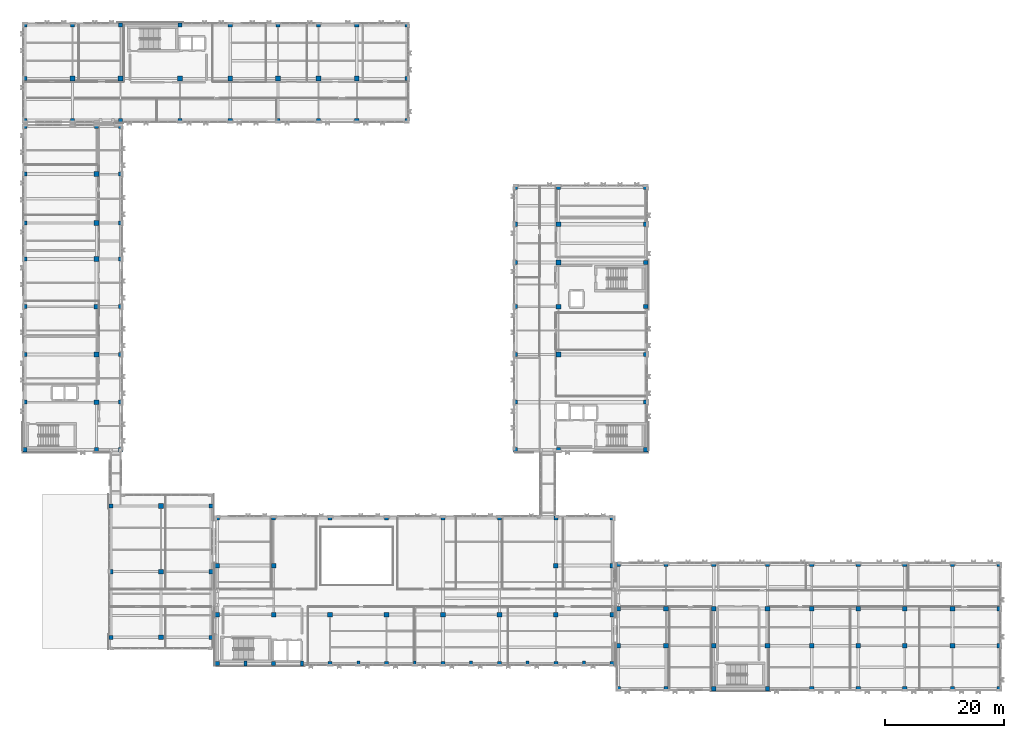
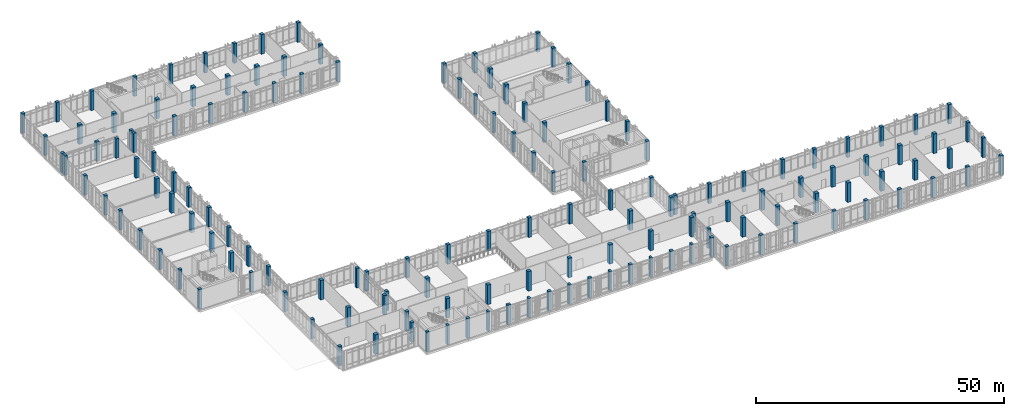
# One storey, part 1 of 189: 151 columns.
"""IFC4 building model written with IfcOpenShell, lengths in metres."""

from ifc_helpers import new_model, si_unit, direction, frame, origin, origin_2d, place, context, subcontext, project, spatial, rectangle, extrude, material, material_profile, profile_set, type_object, element, save


model = new_model("IFC4")

# Units and contexts
model_context = context("Model", 3, precision=1e-05, world=origin(), true_north=direction((0.0, 1.0)))
body_context = subcontext(model_context, "Body", "Model", "MODEL_VIEW")
ifc_project = project(units=[si_unit("LENGTHUNIT", "METRE"), si_unit("AREAUNIT", "SQUARE_METRE"), si_unit("VOLUMEUNIT", "CUBIC_METRE"), si_unit("PLANEANGLEUNIT", "RADIAN"), si_unit("MASSUNIT", "GRAM", prefix="KILO")], contexts=[model_context])

# Site, building, storey
site_placement = place(None, origin())
site = spatial("IfcSite", under=ifc_project, at=site_placement, CompositionType="ELEMENT")
building_placement = place(site_placement, origin())
building = spatial("IfcBuilding", under=site, at=building_placement, Name="Qalavern Law Courts", CompositionType="ELEMENT")
storey_placement = place(building_placement, frame((0.0, 0.0, 5.39990234375)))
storey = spatial("IfcBuildingStorey", under=building, at=storey_placement, Name="L01", CompositionType="ELEMENT", Elevation=5.39990234375)

# Columns
ifc_material = material(Name="Concrete C45/55", Category="concrete")
ifc_material_profile_1 = material_profile(ifc_material, rectangle(XDim=0.699951171875, YDim=0.699951171875, at=origin_2d()), Name="RC 700x700")
ifc_profile_set_1 = profile_set([ifc_material_profile_1], Name="Concrete C45/55")
column_type_1 = type_object("IfcColumnType", Name="STR-COL-RC700E", PredefinedType="COLUMN", material=ifc_profile_set_1)
for number, where, z_axis, x_axis, name in (
    (1, (16.800048828125, 10.0, 0.0), (0.0, 0.0, 1.0), (1.0, 0.0, 0.0), "V1 column 1-1 L01"),
    (2, (16.800048828125, 21.0, 0.0), (0.0, 0.0, 1.0), (1.0, 0.0, 0.0), "V1 column 1-2 L01"),
    (3, (16.800048828125, 32.0, 0.0), (0.0, 0.0, 1.0), (1.0, 0.0, 0.0), "V1 column 1-3 L01"),
    (4, (33.60009765625, 10.0, 0.0), (0.0, 0.0, 1.0), (1.0, 0.0, 0.0), "V1 column 3-1 L01"),
    (5, (33.60009765625, 21.0, 0.0), (0.0, 0.0, 1.0), (1.0, 0.0, 0.0), "V1 column 3-2 L01"),
    (6, (33.60009765625, 32.0, 0.0), (0.0, 0.0, 1.0), (1.0, 0.0, 0.0), "V1 column 3-3 L01"),
    (7, (34.6201171875, 5.60009765625, 0.0), (0.0, 0.0, 1.0), (1.0, 0.0, 0.0), "V2 column 1-1 L01"),
    (8, (34.6201171875, 13.800048828125, 0.0), (0.0, 0.0, 1.0), (1.0, 0.0, 0.0), "V2 column 1-2 L01"),
    (9, (34.6201171875, 22.0, 0.0), (0.0, 0.0, 1.0), (1.0, 0.0, 0.0), "V2 column 1-3 L01"),
    (10, (34.6201171875, 30.0, 0.0), (0.0, 0.0, 1.0), (1.0, 0.0, 0.0), "V2 column 1-4 L01"),
    (11, (44.07421875, 5.60009765625, 0.0), (0.0, 0.0, 1.0), (1.0, 0.0, 0.0), "V2 column 2-1 L01"),
    (12, (44.07421875, 30.0, 0.0), (0.0, 0.0, 1.0), (1.0, 0.0, 0.0), "V2 column 2-4 L01"),
    (13, (53.528564453125, 5.60009765625, 0.0), (0.0, 0.0, 1.0), (1.0, 0.0, 0.0), "V2 column 3-1 L01"),
    (14, (53.528564453125, 30.0, 0.0), (0.0, 0.0, 1.0), (1.0, 0.0, 0.0), "V2 column 3-4 L01"),
    (15, (62.98291015625, 5.60009765625, 0.0), (0.0, 0.0, 1.0), (1.0, 0.0, 0.0), "V2 column 4-1 L01"),
    (16, (62.98291015625, 30.0, 0.0), (0.0, 0.0, 1.0), (1.0, 0.0, 0.0), "V2 column 4-4 L01"),
    (17, (72.43701171875, 5.60009765625, 0.0), (0.0, 0.0, 1.0), (1.0, 0.0, 0.0), "V2 column 5-1 L01"),
    (18, (72.43701171875, 30.0, 0.0), (0.0, 0.0, 1.0), (1.0, 0.0, 0.0), "V2 column 5-4 L01"),
    (19, (81.891357421875, 5.60009765625, 0.0), (0.0, 0.0, 1.0), (1.0, 0.0, 0.0), "V2 column 6-1 L01"),
    (20, (81.891357421875, 30.0, 0.0), (0.0, 0.0, 1.0), (1.0, 0.0, 0.0), "V2 column 6-4 L01"),
    (21, (91.345703125, 5.60009765625, 0.0), (0.0, 0.0, 1.0), (1.0, 0.0, 0.0), "V2 column 7-1 L01"),
    (22, (91.345703125, 30.0, 0.0), (0.0, 0.0, 1.0), (1.0, 0.0, 0.0), "V2 column 7-4 L01"),
    (23, (100.800048828125, 5.60009765625, 0.0), (0.0, 0.0, 1.0), (1.0, 0.0, 0.0), "V2 column 8-1 L01"),
    (24, (100.800048828125, 13.800048828125, 0.0), (0.0, 0.0, 1.0), (1.0, 0.0, 0.0), "V2 column 8-2 L01"),
    (25, (100.800048828125, 22.0, 0.0), (0.0, 0.0, 1.0), (1.0, 0.0, 0.0), "V2 column 8-3 L01"),
    (26, (100.800048828125, 30.0, 0.0), (0.0, 0.0, 1.0), (1.0, 0.0, 0.0), "V2 column 8-4 L01"),
    (27, (2.39990234375, 41.419921875, 0.0), (0.0, 0.0, 1.0), (1.0, 0.0, 0.0), "V3 column 1-1 L01"),
    (28, (2.39990234375, 49.39990234375, 0.0), (0.0, 0.0, 1.0), (1.0, 0.0, 0.0), "V3 column 1-2 L01"),
    (29, (2.39990234375, 57.39990234375, 0.0), (0.0, 0.0, 1.0), (1.0, 0.0, 0.0), "V3 column 1-3 L01"),
    (30, (2.39990234375, 65.39990234375, 0.0), (0.0, 0.0, 1.0), (1.0, 0.0, 0.0), "V3 column 1-4 L01"),
    (31, (2.39990234375, 73.39990234375, 0.0), (0.0, 0.0, 1.0), (1.0, 0.0, 0.0), "V3 column 1-5 L01"),
    (32, (2.39990234375, 79.39990234375, 0.0), (0.0, 0.0, 1.0), (1.0, 0.0, 0.0), "V3 column 1-6 L01"),
    (33, (2.39990234375, 87.60009765625, 0.0), (0.0, 0.0, 1.0), (1.0, 0.0, 0.0), "V3 column 1-7 L01"),
    (34, (2.39990234375, 95.580078125, 0.0), (0.0, 0.0, 1.0), (1.0, 0.0, 0.0), "V3 column 1-8 L01"),
    (35, (14.39990234375, 41.419921875, 0.0), (0.0, 0.0, 1.0), (1.0, 0.0, 0.0), "V3 column 2-1 L01"),
    (36, (14.39990234375, 95.580078125, 0.0), (0.0, 0.0, 1.0), (1.0, 0.0, 0.0), "V3 column 2-8 L01"),
    (37, (18.39990234375, 41.419921875, 0.0), (0.0, 0.0, 1.0), (1.0, 0.0, 0.0), "V3 column 3-1 L01"),
    (38, (18.39990234375, 49.39990234375, 0.0), (0.0, 0.0, 1.0), (1.0, 0.0, 0.0), "V3 column 3-2 L01"),
    (39, (18.39990234375, 57.39990234375, 0.0), (0.0, 0.0, 1.0), (1.0, 0.0, 0.0), "V3 column 3-3 L01"),
    (40, (18.39990234375, 65.39990234375, 0.0), (0.0, 0.0, 1.0), (1.0, 0.0, 0.0), "V3 column 3-4 L01"),
    (41, (18.39990234375, 73.39990234375, 0.0), (0.0, 0.0, 1.0), (1.0, 0.0, 0.0), "V3 column 3-5 L01"),
    (42, (18.39990234375, 79.39990234375, 0.0), (0.0, 0.0, 1.0), (1.0, 0.0, 0.0), "V3 column 3-6 L01"),
    (43, (18.39990234375, 87.60009765625, 0.0), (0.0, 0.0, 1.0), (1.0, 0.0, 0.0), "V3 column 3-7 L01"),
    (44, (18.39990234375, 95.580078125, 0.0), (0.0, 0.0, 1.0), (1.0, 0.0, 0.0), "V3 column 3-8 L01"),
    (45, (84.60009765625, 41.419921875, 0.0), (0.0, 0.0, 1.0), (1.0, 0.0, 0.0), "V4 column 1-1 L01"),
    (46, (84.60009765625, 49.39990234375, 0.0), (0.0, 0.0, 1.0), (1.0, 0.0, 0.0), "V4 column 1-2 L01"),
    (47, (84.60009765625, 57.39990234375, 0.0), (0.0, 0.0, 1.0), (1.0, 0.0, 0.0), "V4 column 1-3 L01"),
    (48, (84.60009765625, 65.39990234375, 0.0), (0.0, 0.0, 1.0), (1.0, 0.0, 0.0), "V4 column 1-4 L01"),
    (49, (84.60009765625, 72.800048828125, 0.0), (0.0, 0.0, 1.0), (1.0, 0.0, 0.0), "V4 column 1-5 L01"),
    (50, (84.60009765625, 79.199951171875, 0.0), (0.0, 0.0, 1.0), (1.0, 0.0, 0.0), "V4 column 1-6 L01"),
    (51, (84.60009765625, 85.39990234375, 0.0), (0.0, 0.0, 1.0), (1.0, 0.0, 0.0), "V4 column 1-7 L01"),
    (52, (91.800048828125, 41.419921875, 0.0), (0.0, 0.0, 1.0), (1.0, 0.0, 0.0), "V4 column 2-1 L01"),
    (53, (91.800048828125, 85.39990234375, 0.0), (0.0, 0.0, 1.0), (1.0, 0.0, 0.0), "V4 column 2-7 L01"),
    (54, (106.39990234375, 41.419921875, 0.0), (0.0, 0.0, 1.0), (1.0, 0.0, 0.0), "V4 column 3-1 L01"),
    (55, (106.39990234375, 49.39990234375, 0.0), (0.0, 0.0, 1.0), (1.0, 0.0, 0.0), "V4 column 3-2 L01"),
    (56, (106.39990234375, 57.39990234375, 0.0), (0.0, 0.0, 1.0), (1.0, 0.0, 0.0), "V4 column 3-3 L01"),
    (57, (106.39990234375, 65.39990234375, 0.0), (0.0, 0.0, 1.0), (1.0, 0.0, 0.0), "V4 column 3-4 L01"),
    (58, (106.39990234375, 72.800048828125, 0.0), (0.0, 0.0, 1.0), (1.0, 0.0, 0.0), "V4 column 3-5 L01"),
    (59, (106.39990234375, 79.199951171875, 0.0), (0.0, 0.0, 1.0), (1.0, 0.0, 0.0), "V4 column 3-6 L01"),
    (60, (106.39990234375, 85.39990234375, 0.0), (0.0, 0.0, 1.0), (1.0, 0.0, 0.0), "V4 column 3-7 L01"),
    (61, (2.39990234375, 96.60009765625, 0.0), (0.0, 0.0, 1.0), (1.0, 0.0, 0.0), "V5 column 1-1 L01"),
    (62, (2.39990234375, 103.60009765625, 0.0), (0.0, 0.0, 1.0), (1.0, 0.0, 0.0), "V5 column 1-2 L01"),
    (63, (2.39990234375, 112.60009765625, 0.0), (0.0, 0.0, 1.0), (1.0, 0.0, 0.0), "V5 column 1-3 L01"),
    (64, (10.39990234375, 96.60009765625, 0.0), (0.0, 0.0, 1.0), (1.0, 0.0, 0.0), "V5 column 2-1 L01"),
    (65, (10.39990234375, 112.60009765625, 0.0), (0.0, 0.0, 1.0), (1.0, 0.0, 0.0), "V5 column 2-3 L01"),
    (66, (18.39990234375, 96.60009765625, 0.0), (0.0, 0.0, 1.0), (1.0, 0.0, 0.0), "V5 column 3-1 L01"),
    (67, (18.39990234375, 112.60009765625, 0.0), (0.0, 0.0, 1.0), (1.0, 0.0, 0.0), "V5 column 3-3 L01"),
    (68, (28.39990234375, 96.60009765625, 0.0), (0.0, 0.0, 1.0), (1.0, 0.0, 0.0), "V5 column 4-1 L01"),
    (69, (28.39990234375, 112.60009765625, 0.0), (0.0, 0.0, 1.0), (1.0, 0.0, 0.0), "V5 column 4-3 L01"),
    (70, (36.800048828125, 96.60009765625, 0.0), (0.0, 0.0, 1.0), (1.0, 0.0, 0.0), "V5 column 5-1 L01"),
    (71, (36.800048828125, 112.60009765625, 0.0), (0.0, 0.0, 1.0), (1.0, 0.0, 0.0), "V5 column 5-3 L01"),
    (72, (44.800048828125, 96.60009765625, 0.0), (0.0, 0.0, 1.0), (1.0, 0.0, 0.0), "V5 column 6-1 L01"),
    (73, (44.800048828125, 112.60009765625, 0.0), (0.0, 0.0, 1.0), (1.0, 0.0, 0.0), "V5 column 6-3 L01"),
    (74, (51.60009765625, 96.60009765625, 0.0), (0.0, 0.0, 1.0), (1.0, 0.0, 0.0), "V5 column 7-1 L01"),
    (75, (51.60009765625, 112.60009765625, 0.0), (0.0, 0.0, 1.0), (1.0, 0.0, 0.0), "V5 column 7-3 L01"),
    (76, (58.0, 96.60009765625, 0.0), (0.0, 0.0, 1.0), (1.0, 0.0, 0.0), "V5 column 8-1 L01"),
    (77, (58.0, 112.60009765625, 0.0), (0.0, 0.0, 1.0), (1.0, 0.0, 0.0), "V5 column 8-3 L01"),
    (78, (66.39990234375, 96.60009765625, 0.0), (0.0, 0.0, 1.0), (1.0, 0.0, 0.0), "V5 column 9-1 L01"),
    (79, (66.39990234375, 103.60009765625, 0.0), (0.0, 0.0, 1.0), (1.0, 0.0, 0.0), "V5 column 9-2 L01"),
    (80, (66.39990234375, 112.60009765625, 0.0), (0.0, 0.0, 1.0), (1.0, 0.0, 0.0), "V5 column 9-3 L01"),
    (81, (101.820068359375, 1.39990234375, 0.0), (0.0, 0.0, 1.0), (1.0, 0.0, 0.0), "V6 column 1-1 L01"),
    (82, (101.820068359375, 8.60009765625, 0.0), (0.0, 0.0, 1.0), (1.0, 0.0, 0.0), "V6 column 1-2 L01"),
    (83, (101.820068359375, 14.800048828125, 0.0), (0.0, 0.0, 1.0), (1.0, 0.0, 0.0), "V6 column 1-3 L01"),
    (84, (101.820068359375, 22.199951171875, 0.0), (0.0, 0.0, 1.0), (1.0, 0.0, 0.0), "V6 column 1-4 L01"),
    (85, (109.800048828125, 1.39990234375, 0.0), (0.0, 0.0, 1.0), (1.0, 0.0, 0.0), "V6 column 2-1 L01"),
    (86, (109.800048828125, 22.199951171875, 0.0), (0.0, 0.0, 1.0), (1.0, 0.0, 0.0), "V6 column 2-4 L01"),
    (87, (117.800048828125, 1.39990234375, 0.0), (0.0, 0.0, 1.0), (1.0, 0.0, 0.0), "V6 column 3-1 L01"),
    (88, (117.800048828125, 22.199951171875, 0.0), (0.0, 0.0, 1.0), (1.0, 0.0, 0.0), "V6 column 3-4 L01"),
    (89, (126.800048828125, 1.39990234375, 0.0), (0.0, 0.0, 1.0), (1.0, 0.0, 0.0), "V6 column 4-1 L01"),
    (90, (126.800048828125, 22.199951171875, 0.0), (0.0, 0.0, 1.0), (1.0, 0.0, 0.0), "V6 column 4-4 L01"),
    (91, (134.199951171875, 1.39990234375, 0.0), (0.0, 0.0, 1.0), (1.0, 0.0, 0.0), "V6 column 5-1 L01"),
    (92, (134.199951171875, 22.199951171875, 0.0), (0.0, 0.0, 1.0), (1.0, 0.0, 0.0), "V6 column 5-4 L01"),
    (93, (142.0, 1.39990234375, 0.0), (0.0, 0.0, 1.0), (1.0, 0.0, 0.0), "V6 column 6-1 L01"),
    (94, (142.0, 22.199951171875, 0.0), (0.0, 0.0, 1.0), (1.0, 0.0, 0.0), "V6 column 6-4 L01"),
    (95, (149.800048828125, 1.39990234375, 0.0), (0.0, 0.0, 1.0), (1.0, 0.0, 0.0), "V6 column 7-1 L01"),
    (96, (149.800048828125, 22.199951171875, 0.0), (0.0, 0.0, 1.0), (1.0, 0.0, 0.0), "V6 column 7-4 L01"),
    (97, (157.800048828125, 1.39990234375, 0.0), (0.0, 0.0, 1.0), (1.0, 0.0, 0.0), "V6 column 8-1 L01"),
    (98, (157.800048828125, 22.199951171875, 0.0), (0.0, 0.0, 1.0), (1.0, 0.0, 0.0), "V6 column 8-4 L01"),
    (99, (165.60009765625, 1.39990234375, 0.0), (0.0, 0.0, 1.0), (1.0, 0.0, 0.0), "V6 column 9-1 L01"),
    (100, (165.60009765625, 8.60009765625, 0.0), (0.0, 0.0, 1.0), (1.0, 0.0, 0.0), "V6 column 9-2 L01"),
    (101, (165.60009765625, 14.800048828125, 0.0), (0.0, 0.0, 1.0), (1.0, 0.0, 0.0), "V6 column 9-3 L01"),
    (102, (165.60009765625, 22.199951171875, 0.0), (0.0, 0.0, 1.0), (1.0, 0.0, 0.0), "V6 column 9-4 L01"),
):
    element("IfcColumn", number, at=place(storey_placement, frame(where, z_axis=z_axis, x_axis=x_axis)), inside=storey, type_object=column_type_1, Name=name, PredefinedType="COLUMN", context=body_context, shape_type="SweptSolid", body=[
        extrude(rectangle(XDim=0.699951171875, YDim=0.699951171875, at=origin_2d()), origin(), (0.0, 0.0, 1.0), 4.800048828125),
    ])
ifc_material_profile_2 = material_profile(ifc_material, rectangle(XDim=0.800048828125, YDim=0.800048828125, at=origin_2d()), Name="RC 800x800")
ifc_profile_set_2 = profile_set([ifc_material_profile_2], Name="Concrete C45/55")
column_type_2 = type_object("IfcColumnType", Name="STR-COL-RC800", PredefinedType="COLUMN", material=ifc_profile_set_2)
for number, where, z_axis, x_axis, name in (
    (103, (25.199951171875, 10.0, 0.0), (0.0, 0.0, 1.0), (1.0, 0.0, 0.0), "V1 column 2-1 L01"),
    (104, (25.199951171875, 21.0, 0.0), (0.0, 0.0, 1.0), (1.0, 0.0, 0.0), "V1 column 2-2 L01"),
    (105, (25.199951171875, 32.0, 0.0), (0.0, 0.0, 1.0), (1.0, 0.0, 0.0), "V1 column 2-3 L01"),
    (106, (44.07421875, 13.800048828125, 0.0), (0.0, 0.0, 1.0), (1.0, 0.0, 0.0), "V2 column 2-2 L01"),
    (107, (44.07421875, 22.0, 0.0), (0.0, 0.0, 1.0), (1.0, 0.0, 0.0), "V2 column 2-3 L01"),
    (108, (53.528564453125, 13.800048828125, 0.0), (0.0, 0.0, 1.0), (1.0, 0.0, 0.0), "V2 column 3-2 L01"),
    (109, (62.98291015625, 13.800048828125, 0.0), (0.0, 0.0, 1.0), (1.0, 0.0, 0.0), "V2 column 4-2 L01"),
    (110, (72.43701171875, 13.800048828125, 0.0), (0.0, 0.0, 1.0), (1.0, 0.0, 0.0), "V2 column 5-2 L01"),
    (111, (81.891357421875, 13.800048828125, 0.0), (0.0, 0.0, 1.0), (1.0, 0.0, 0.0), "V2 column 6-2 L01"),
    (112, (91.345703125, 13.800048828125, 0.0), (0.0, 0.0, 1.0), (1.0, 0.0, 0.0), "V2 column 7-2 L01"),
    (113, (91.345703125, 22.0, 0.0), (0.0, 0.0, 1.0), (1.0, 0.0, 0.0), "V2 column 7-3 L01"),
    (114, (14.39990234375, 49.39990234375, 0.0), (0.0, 0.0, 1.0), (1.0, 0.0, 0.0), "V3 column 2-2 L01"),
    (115, (14.39990234375, 57.39990234375, 0.0), (0.0, 0.0, 1.0), (1.0, 0.0, 0.0), "V3 column 2-3 L01"),
    (116, (14.39990234375, 65.39990234375, 0.0), (0.0, 0.0, 1.0), (1.0, 0.0, 0.0), "V3 column 2-4 L01"),
    (117, (14.39990234375, 73.39990234375, 0.0), (0.0, 0.0, 1.0), (1.0, 0.0, 0.0), "V3 column 2-5 L01"),
    (118, (14.39990234375, 79.39990234375, 0.0), (0.0, 0.0, 1.0), (1.0, 0.0, 0.0), "V3 column 2-6 L01"),
    (119, (14.39990234375, 87.60009765625, 0.0), (0.0, 0.0, 1.0), (1.0, 0.0, 0.0), "V3 column 2-7 L01"),
    (120, (91.800048828125, 57.39990234375, 0.0), (0.0, 0.0, 1.0), (1.0, 0.0, 0.0), "V4 column 2-3 L01"),
    (121, (91.800048828125, 65.39990234375, 0.0), (0.0, 0.0, 1.0), (1.0, 0.0, 0.0), "V4 column 2-4 L01"),
    (122, (91.800048828125, 72.800048828125, 0.0), (0.0, 0.0, 1.0), (1.0, 0.0, 0.0), "V4 column 2-5 L01"),
    (123, (91.800048828125, 79.199951171875, 0.0), (0.0, 0.0, 1.0), (1.0, 0.0, 0.0), "V4 column 2-6 L01"),
    (124, (10.39990234375, 103.60009765625, 0.0), (0.0, 0.0, 1.0), (1.0, 0.0, 0.0), "V5 column 2-2 L01"),
    (125, (18.39990234375, 103.60009765625, 0.0), (0.0, 0.0, 1.0), (1.0, 0.0, 0.0), "V5 column 3-2 L01"),
    (126, (28.39990234375, 103.60009765625, 0.0), (0.0, 0.0, 1.0), (1.0, 0.0, 0.0), "V5 column 4-2 L01"),
    (127, (36.800048828125, 103.60009765625, 0.0), (0.0, 0.0, 1.0), (1.0, 0.0, 0.0), "V5 column 5-2 L01"),
    (128, (44.800048828125, 103.60009765625, 0.0), (0.0, 0.0, 1.0), (1.0, 0.0, 0.0), "V5 column 6-2 L01"),
    (129, (51.60009765625, 103.60009765625, 0.0), (0.0, 0.0, 1.0), (1.0, 0.0, 0.0), "V5 column 7-2 L01"),
    (130, (58.0, 103.60009765625, 0.0), (0.0, 0.0, 1.0), (1.0, 0.0, 0.0), "V5 column 8-2 L01"),
    (131, (109.800048828125, 8.60009765625, 0.0), (0.0, 0.0, 1.0), (1.0, 0.0, 0.0), "V6 column 2-2 L01"),
    (132, (109.800048828125, 14.800048828125, 0.0), (0.0, 0.0, 1.0), (1.0, 0.0, 0.0), "V6 column 2-3 L01"),
    (133, (117.800048828125, 8.60009765625, 0.0), (0.0, 0.0, 1.0), (1.0, 0.0, 0.0), "V6 column 3-2 L01"),
    (134, (117.800048828125, 14.800048828125, 0.0), (0.0, 0.0, 1.0), (1.0, 0.0, 0.0), "V6 column 3-3 L01"),
    (135, (126.800048828125, 8.60009765625, 0.0), (0.0, 0.0, 1.0), (1.0, 0.0, 0.0), "V6 column 4-2 L01"),
    (136, (126.800048828125, 14.800048828125, 0.0), (0.0, 0.0, 1.0), (1.0, 0.0, 0.0), "V6 column 4-3 L01"),
    (137, (134.199951171875, 8.60009765625, 0.0), (0.0, 0.0, 1.0), (1.0, 0.0, 0.0), "V6 column 5-2 L01"),
    (138, (134.199951171875, 14.800048828125, 0.0), (0.0, 0.0, 1.0), (1.0, 0.0, 0.0), "V6 column 5-3 L01"),
    (139, (142.0, 8.60009765625, 0.0), (0.0, 0.0, 1.0), (1.0, 0.0, 0.0), "V6 column 6-2 L01"),
    (140, (142.0, 14.800048828125, 0.0), (0.0, 0.0, 1.0), (1.0, 0.0, 0.0), "V6 column 6-3 L01"),
    (141, (149.800048828125, 8.60009765625, 0.0), (0.0, 0.0, 1.0), (1.0, 0.0, 0.0), "V6 column 7-2 L01"),
    (142, (149.800048828125, 14.800048828125, 0.0), (0.0, 0.0, 1.0), (1.0, 0.0, 0.0), "V6 column 7-3 L01"),
    (143, (157.800048828125, 8.60009765625, 0.0), (0.0, 0.0, 1.0), (1.0, 0.0, 0.0), "V6 column 8-2 L01"),
    (144, (157.800048828125, 14.800048828125, 0.0), (0.0, 0.0, 1.0), (1.0, 0.0, 0.0), "V6 column 8-3 L01"),
):
    element("IfcColumn", number, at=place(storey_placement, frame(where, z_axis=z_axis, x_axis=x_axis)), inside=storey, type_object=column_type_2, Name=name, PredefinedType="COLUMN", context=body_context, shape_type="SweptSolid", body=[
        extrude(rectangle(XDim=0.800048828125, YDim=0.800048828125, at=origin_2d()), origin(), (0.0, 0.0, 1.0), 4.800048828125),
    ])
ifc_material_profile_3 = material_profile(ifc_material, rectangle(XDim=0.5, YDim=0.800048828125, at=origin_2d()), Name="RC 500x800")
ifc_profile_set_3 = profile_set([ifc_material_profile_3], Name="Concrete C45/55")
column_type_3 = type_object("IfcColumnType", Name="STR-PIL-500x800", PredefinedType="PILASTER", material=ifc_profile_set_3)
for number, where, z_axis, x_axis, name in (
    (145, (39.346923828125, 5.60009765625, 0.0), (0.0, 0.0, 1.0), (1.0, 0.0, 0.0), "Civic colonnade pilaster 01 L01"),
    (146, (48.801025390625, 5.60009765625, 0.0), (0.0, 0.0, 1.0), (1.0, 0.0, 0.0), "Civic colonnade pilaster 02 L01"),
    (147, (58.256103515625, 5.60009765625, 0.0), (0.0, 0.0, 1.0), (1.0, 0.0, 0.0), "Civic colonnade pilaster 03 L01"),
    (148, (67.7099609375, 5.60009765625, 0.0), (0.0, 0.0, 1.0), (1.0, 0.0, 0.0), "Civic colonnade pilaster 04 L01"),
    (149, (77.1640625, 5.60009765625, 0.0), (0.0, 0.0, 1.0), (1.0, 0.0, 0.0), "Civic colonnade pilaster 05 L01"),
    (150, (86.618896484375, 5.60009765625, 0.0), (0.0, 0.0, 1.0), (1.0, 0.0, 0.0), "Civic colonnade pilaster 06 L01"),
    (151, (96.072998046875, 5.60009765625, 0.0), (0.0, 0.0, 1.0), (1.0, 0.0, 0.0), "Civic colonnade pilaster 07 L01"),
):
    element("IfcColumn", number, at=place(storey_placement, frame(where, z_axis=z_axis, x_axis=x_axis)), inside=storey, type_object=column_type_3, Name=name, PredefinedType="PILASTER", context=body_context, shape_type="SweptSolid", body=[
        extrude(rectangle(XDim=0.5, YDim=0.800048828125, at=origin_2d()), origin(), (0.0, 0.0, 1.0), 4.800048828125),
    ])

save(model, "model.ifc")
